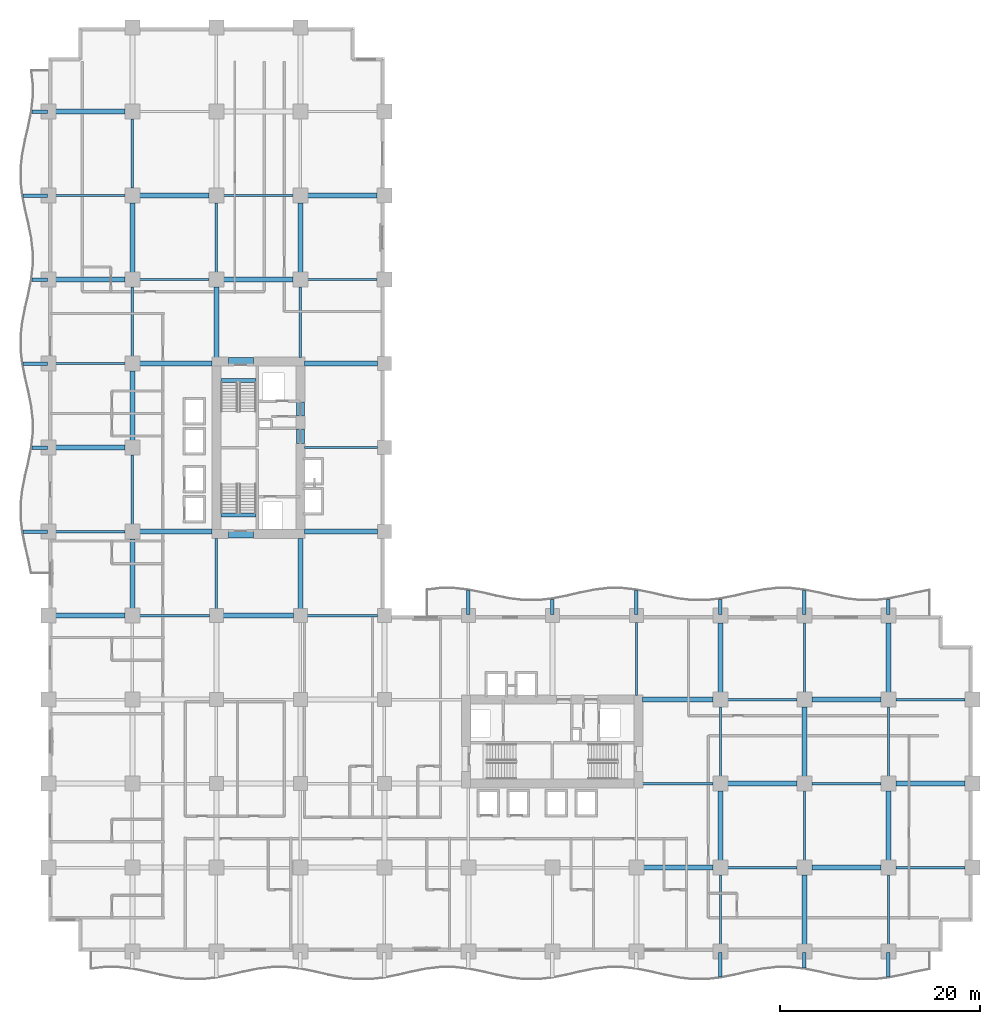
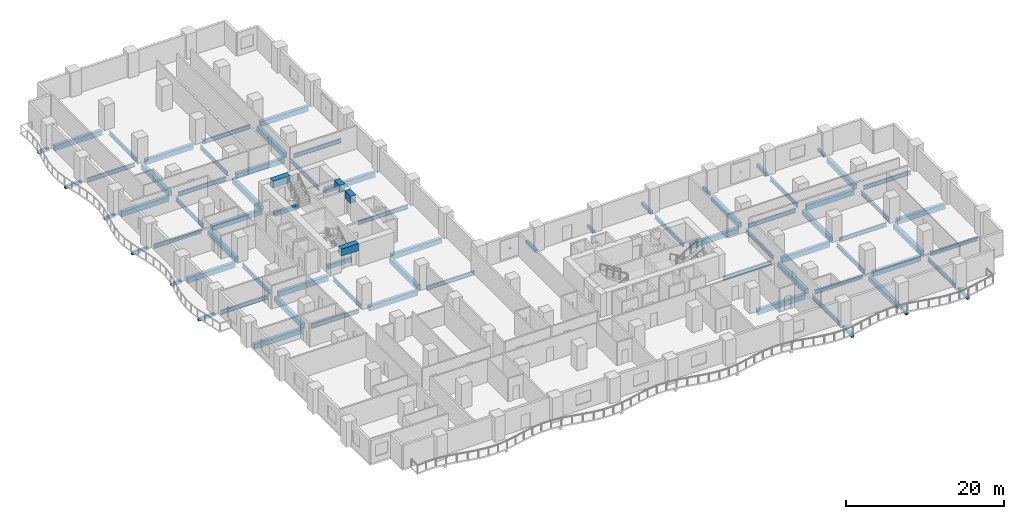
# One storey, part 2 of 20: 79 beams.
"""IFC4 building model written with IfcOpenShell, lengths in metres."""

from ifc_helpers import new_model, si_unit, direction, frame, origin, origin_2d, place, context, subcontext, project, spatial, rectangle, i_section, extrude, material, material_profile, profile_set, type_object, element, save


model = new_model("IFC4")

# Units and contexts
model_context = context("Model", 3, precision=1e-05, world=origin(), true_north=direction((0.0, 1.0)))
body_context = subcontext(model_context, "Body", "Model", "MODEL_VIEW")
ifc_project = project(units=[si_unit("LENGTHUNIT", "METRE"), si_unit("AREAUNIT", "SQUARE_METRE"), si_unit("VOLUMEUNIT", "CUBIC_METRE"), si_unit("PLANEANGLEUNIT", "RADIAN"), si_unit("MASSUNIT", "GRAM", prefix="KILO")], contexts=[model_context])

# Site, building, storey
site_placement = place(None, origin())
site = spatial("IfcSite", under=ifc_project, at=site_placement, CompositionType="ELEMENT")
building_placement = place(site_placement, origin())
building = spatial("IfcBuilding", under=site, at=building_placement, Name="Koriwani Terraces Tower", CompositionType="ELEMENT")
storey_placement = place(building_placement, frame((0.0, 0.0, 66.199951171875)))
storey = spatial("IfcBuildingStorey", under=building, at=storey_placement, Name="L15", CompositionType="ELEMENT", Elevation=66.199951171875)

# Beams
ifc_material_1 = material(Name="Concrete C40/50", Category="concrete")
ifc_material_profile_1 = material_profile(ifc_material_1, rectangle(XDim=0.35009765625, YDim=0.449951171875, at=origin_2d()), Name="Concrete C40/50", Category="LoadBearing")
ifc_profile_set_1 = profile_set([ifc_material_profile_1], Name="Concrete C40/50")
beam_type_1 = type_object("IfcBeamType", Name="BEAM_RC_BALCONY_RIB_350X450", PredefinedType="JOIST", material=ifc_profile_set_1)
beam_1_placement = place(storey_placement, frame((67.199951171875, -2.516845703125, -0.474853515625), z_axis=(0.0, 1.0, 0.0), x_axis=(-1.0, 0.0, 0.0)))
element("IfcBeam", 1, at=beam_1_placement, inside=storey, type_object=beam_type_1, Name="L15 Balcony Bracket Rib S-8", PredefinedType="JOIST", context=body_context, shape_type="SweptSolid", body=[
    extrude(rectangle(XDim=0.35009765625, YDim=0.449951171875, at=origin_2d()), origin(), (0.0, 0.0, 1.0), 2.416748046875),
])
beam_2_placement = place(storey_placement, frame((75.60009765625, -1.633056640625, -0.474853515625), z_axis=(0.0, 1.0, 0.0), x_axis=(-1.0, 0.0, 0.0)))
element("IfcBeam", 2, at=beam_2_placement, inside=storey, type_object=beam_type_1, Name="L15 Balcony Bracket Rib S-9", PredefinedType="JOIST", context=body_context, shape_type="SweptSolid", body=[
    extrude(rectangle(XDim=0.35009765625, YDim=0.449951171875, at=origin_2d()), origin(), (0.0, 0.0, 1.0), 1.532958984375),
])
for number, where, z_axis, x_axis, name in (
    (3, (84.0, -2.516845703125, -0.474853515625), (0.0, 1.0, 0.0), (-1.0, 0.0, 0.0), "L15 Balcony Bracket Rib S-10"),
    (4, (-2.516845703125, 42.0, -0.474853515625), (1.0, 0.0, 0.0), (0.0, 1.0, 0.0), "L15 Balcony Bracket Rib W-1"),
):
    element("IfcBeam", number, at=place(storey_placement, frame(where, z_axis=z_axis, x_axis=x_axis)), inside=storey, type_object=beam_type_1, Name=name, PredefinedType="JOIST", context=body_context, shape_type="SweptSolid", body=[
        extrude(rectangle(XDim=0.35009765625, YDim=0.449951171875, at=origin_2d()), origin(), (0.0, 0.0, 1.0), 2.416748046875),
    ])
beam_3_placement = place(storey_placement, frame((-1.633056640625, 50.39990234375, -0.474853515625), z_axis=(1.0, 0.0, 0.0), x_axis=(0.0, 1.0, 0.0)))
element("IfcBeam", 5, at=beam_3_placement, inside=storey, type_object=beam_type_1, Name="L15 Balcony Bracket Rib W-2", PredefinedType="JOIST", context=body_context, shape_type="SweptSolid", body=[
    extrude(rectangle(XDim=0.35009765625, YDim=0.449951171875, at=origin_2d()), origin(), (0.0, 0.0, 1.0), 1.532958984375),
])
beam_4_placement = place(storey_placement, frame((-2.516845703125, 58.800048828125, -0.474853515625), z_axis=(1.0, 0.0, 0.0), x_axis=(0.0, 1.0, 0.0)))
element("IfcBeam", 6, at=beam_4_placement, inside=storey, type_object=beam_type_1, Name="L15 Balcony Bracket Rib W-3", PredefinedType="JOIST", context=body_context, shape_type="SweptSolid", body=[
    extrude(rectangle(XDim=0.35009765625, YDim=0.449951171875, at=origin_2d()), origin(), (0.0, 0.0, 1.0), 2.416748046875),
])
beam_5_placement = place(storey_placement, frame((-1.633056640625, 67.199951171875, -0.474853515625), z_axis=(1.0, 0.0, 0.0), x_axis=(0.0, 1.0, 0.0)))
element("IfcBeam", 7, at=beam_5_placement, inside=storey, type_object=beam_type_1, Name="L15 Balcony Bracket Rib W-4", PredefinedType="JOIST", context=body_context, shape_type="SweptSolid", body=[
    extrude(rectangle(XDim=0.35009765625, YDim=0.449951171875, at=origin_2d()), origin(), (0.0, 0.0, 1.0), 1.532958984375),
])
beam_6_placement = place(storey_placement, frame((-2.516845703125, 75.60009765625, -0.474853515625), z_axis=(1.0, 0.0, 0.0), x_axis=(0.0, 1.0, 0.0)))
element("IfcBeam", 8, at=beam_6_placement, inside=storey, type_object=beam_type_1, Name="L15 Balcony Bracket Rib W-5", PredefinedType="JOIST", context=body_context, shape_type="SweptSolid", body=[
    extrude(rectangle(XDim=0.35009765625, YDim=0.449951171875, at=origin_2d()), origin(), (0.0, 0.0, 1.0), 2.416748046875),
])
beam_7_placement = place(storey_placement, frame((-1.633056640625, 84.0, -0.474853515625), z_axis=(1.0, 0.0, 0.0), x_axis=(0.0, 1.0, 0.0)))
element("IfcBeam", 9, at=beam_7_placement, inside=storey, type_object=beam_type_1, Name="L15 Balcony Bracket Rib W-6", PredefinedType="JOIST", context=body_context, shape_type="SweptSolid", body=[
    extrude(rectangle(XDim=0.35009765625, YDim=0.449951171875, at=origin_2d()), origin(), (0.0, 0.0, 1.0), 1.532958984375),
])
beam_8_placement = place(storey_placement, frame((42.0, 33.699951171875, -0.474853515625), z_axis=(0.0, 1.0, 0.0), x_axis=(-1.0, 0.0, 0.0)))
element("IfcBeam", 10, at=beam_8_placement, inside=storey, type_object=beam_type_1, Name="L15 Balcony Bracket Rib NE-1", PredefinedType="JOIST", context=body_context, shape_type="SweptSolid", body=[
    extrude(rectangle(XDim=0.35009765625, YDim=0.449951171875, at=origin_2d()), origin(), (0.0, 0.0, 1.0), 2.4169921875),
])
beam_9_placement = place(storey_placement, frame((50.39990234375, 33.699951171875, -0.474853515625), z_axis=(0.0, 1.0, 0.0), x_axis=(-1.0, 0.0, 0.0)))
element("IfcBeam", 11, at=beam_9_placement, inside=storey, type_object=beam_type_1, Name="L15 Balcony Bracket Rib NE-2", PredefinedType="JOIST", context=body_context, shape_type="SweptSolid", body=[
    extrude(rectangle(XDim=0.35009765625, YDim=0.449951171875, at=origin_2d()), origin(), (0.0, 0.0, 1.0), 1.533203125),
])
beam_10_placement = place(storey_placement, frame((58.800048828125, 33.699951171875, -0.474853515625), z_axis=(0.0, 1.0, 0.0), x_axis=(-1.0, 0.0, 0.0)))
element("IfcBeam", 12, at=beam_10_placement, inside=storey, type_object=beam_type_1, Name="L15 Balcony Bracket Rib NE-3", PredefinedType="JOIST", context=body_context, shape_type="SweptSolid", body=[
    extrude(rectangle(XDim=0.35009765625, YDim=0.449951171875, at=origin_2d()), origin(), (0.0, 0.0, 1.0), 2.4169921875),
])
beam_11_placement = place(storey_placement, frame((67.199951171875, 33.699951171875, -0.474853515625), z_axis=(0.0, 1.0, 0.0), x_axis=(-1.0, 0.0, 0.0)))
element("IfcBeam", 13, at=beam_11_placement, inside=storey, type_object=beam_type_1, Name="L15 Balcony Bracket Rib NE-4", PredefinedType="JOIST", context=body_context, shape_type="SweptSolid", body=[
    extrude(rectangle(XDim=0.35009765625, YDim=0.449951171875, at=origin_2d()), origin(), (0.0, 0.0, 1.0), 1.533203125),
])
beam_12_placement = place(storey_placement, frame((75.60009765625, 33.699951171875, -0.474853515625), z_axis=(0.0, 1.0, 0.0), x_axis=(-1.0, 0.0, 0.0)))
element("IfcBeam", 14, at=beam_12_placement, inside=storey, type_object=beam_type_1, Name="L15 Balcony Bracket Rib NE-5", PredefinedType="JOIST", context=body_context, shape_type="SweptSolid", body=[
    extrude(rectangle(XDim=0.35009765625, YDim=0.449951171875, at=origin_2d()), origin(), (0.0, 0.0, 1.0), 2.4169921875),
])
beam_13_placement = place(storey_placement, frame((84.0, 33.699951171875, -0.474853515625), z_axis=(0.0, 1.0, 0.0), x_axis=(-1.0, 0.0, 0.0)))
element("IfcBeam", 15, at=beam_13_placement, inside=storey, type_object=beam_type_1, Name="L15 Balcony Bracket Rib NE-6", PredefinedType="JOIST", context=body_context, shape_type="SweptSolid", body=[
    extrude(rectangle(XDim=0.35009765625, YDim=0.449951171875, at=origin_2d()), origin(), (0.0, 0.0, 1.0), 1.533203125),
])
ifc_material_2 = material(Name="Concrete C60/75", Category="concrete")
ifc_material_profile_2 = material_profile(ifc_material_2, rectangle(XDim=0.800048828125, YDim=1.10009765625, at=origin_2d()), Name="Concrete C60/75", Category="LoadBearing")
ifc_profile_set_2 = profile_set([ifc_material_profile_2], Name="Concrete C60/75")
beam_type_2 = type_object("IfcBeamType", Name="BEAM_RC_COUPLING_800X1100", PredefinedType="LINTEL", material=ifc_profile_set_2)
beam_14_placement = place(storey_placement, frame((25.199951171875, 50.800048828125, 3.0), z_axis=(0.0, 1.0, 0.0), x_axis=(-1.0, 0.0, 0.0)))
element("IfcBeam", 16, at=beam_14_placement, inside=storey, type_object=beam_type_2, Name="L15 Core Coupling Lintel Beam WE1", PredefinedType="LINTEL", context=body_context, shape_type="SweptSolid", body=[
    extrude(rectangle(XDim=0.800048828125, YDim=1.10009765625, at=origin_2d()), origin(), (0.0, 0.0, 1.0), 1.47998046875),
])
beam_15_placement = place(storey_placement, frame((25.199951171875, 53.550048828125, 3.0), z_axis=(0.0, 1.0, 0.0), x_axis=(-1.0, 0.0, 0.0)))
element("IfcBeam", 17, at=beam_15_placement, inside=storey, type_object=beam_type_2, Name="L15 Core Coupling Lintel Beam WE2", PredefinedType="LINTEL", context=body_context, shape_type="SweptSolid", body=[
    extrude(rectangle(XDim=0.800048828125, YDim=1.10009765625, at=origin_2d()), origin(), (0.0, 0.0, 1.0), 1.39990234375),
])
for number, where, z_axis, x_axis, name in (
    (18, (18.0, 41.75, 3.0), (1.0, 0.0, 0.0), (0.0, 1.0, 0.0), "L15 Core Coupling Lintel Beam WS"),
    (19, (18.0, 59.0, 3.0), (1.0, 0.0, 0.0), (0.0, 1.0, 0.0), "L15 Core Coupling Lintel Beam WN"),
):
    element("IfcBeam", number, at=place(storey_placement, frame(where, z_axis=z_axis, x_axis=x_axis)), inside=storey, type_object=beam_type_2, Name=name, PredefinedType="LINTEL", context=body_context, shape_type="SweptSolid", body=[
        extrude(rectangle(XDim=0.800048828125, YDim=1.10009765625, at=origin_2d()), origin(), (0.0, 0.0, 1.0), 2.5),
    ])
ifc_material_profile_3 = material_profile(ifc_material_1, rectangle(XDim=0.39990234375, YDim=0.60009765625, at=origin_2d()), Name="Concrete C40/50", Category="LoadBearing")
ifc_profile_set_3 = profile_set([ifc_material_profile_3], Name="Concrete C40/50")
beam_type_3 = type_object("IfcBeamType", Name="BEAM_RC_GRID_400X600", PredefinedType="BEAM", material=ifc_profile_set_3)
for number, where, z_axis, x_axis, name in (
    (20, (17.25, 43.655029296875, -0.300048828125), (1.0, 0.0, 0.0), (0.0, 1.0, 0.0), "L15 Stairwell Header Trimmer Beam ST-W1"),
    (21, (17.25, 57.094970703125, -0.300048828125), (1.0, 0.0, 0.0), (0.0, 1.0, 0.0), "L15 Stairwell Header Trimmer Beam ST-W2"),
):
    element("IfcBeam", number, at=place(storey_placement, frame(where, z_axis=z_axis, x_axis=x_axis)), inside=storey, type_object=beam_type_3, Name=name, PredefinedType="BEAM", context=body_context, shape_type="SweptSolid", body=[
        extrude(rectangle(XDim=0.39990234375, YDim=0.60009765625, at=origin_2d()), origin(), (0.0, 0.0, 1.0), 3.5),
    ])
ifc_material_3 = material(Name="Concrete C50/60", Category="concrete")
ifc_material_profile_4 = material_profile(ifc_material_3, rectangle(XDim=0.5, YDim=0.75, at=origin_2d()), Name="Concrete C50/60", Category="LoadBearing")
ifc_profile_set_4 = profile_set([ifc_material_profile_4], Name="Concrete C50/60")
beam_type_4 = type_object("IfcBeamType", Name="BEAM_RC_GRID_500X750", PredefinedType="BEAM", material=ifc_profile_set_4)
for number, where, z_axis, x_axis, name in (
    (22, (59.530029296875, 8.39990234375, -0.625), (1.0, 0.0, 0.0), (0.0, 1.0, 0.0), "L15 Grid Beam B (58.8-67.2m)"),
    (23, (76.330078125, 8.39990234375, -0.625), (1.0, 0.0, 0.0), (0.0, 1.0, 0.0), "L15 Grid Beam B (75.6-84.0m)"),
):
    element("IfcBeam", number, at=place(storey_placement, frame(where, z_axis=z_axis, x_axis=x_axis)), inside=storey, type_object=beam_type_4, Name=name, PredefinedType="BEAM", context=body_context, shape_type="SweptSolid", body=[
        extrude(rectangle(XDim=0.5, YDim=0.75, at=origin_2d()), origin(), (0.0, 0.0, 1.0), 6.93994140625),
    ])
beam_16_placement = place(storey_placement, frame((67.929931640625, 16.800048828125, -0.625), z_axis=(1.0, 0.0, 0.0), x_axis=(0.0, 1.0, 0.0)))
element("IfcBeam", 24, at=beam_16_placement, inside=storey, type_object=beam_type_4, Name="L15 Grid Beam C (67.2-75.6m)", PredefinedType="BEAM", context=body_context, shape_type="SweptSolid", body=[
    extrude(rectangle(XDim=0.5, YDim=0.75, at=origin_2d()), origin(), (0.0, 0.0, 1.0), 6.940185546875),
])
beam_17_placement = place(storey_placement, frame((84.72998046875, 16.800048828125, -0.625), z_axis=(1.0, 0.0, 0.0), x_axis=(0.0, 1.0, 0.0)))
element("IfcBeam", 25, at=beam_17_placement, inside=storey, type_object=beam_type_4, Name="L15 Grid Beam C (84.0-92.4m)", PredefinedType="BEAM", context=body_context, shape_type="SweptSolid", body=[
    extrude(rectangle(XDim=0.5, YDim=0.75, at=origin_2d()), origin(), (0.0, 0.0, 1.0), 6.93994140625),
])
beam_18_placement = place(storey_placement, frame((59.429931640625, 25.199951171875, -0.625), z_axis=(1.0, 0.0, 0.0), x_axis=(0.0, 1.0, 0.0)))
element("IfcBeam", 26, at=beam_18_placement, inside=storey, type_object=beam_type_4, Name="L15 Grid Beam D (58.8-67.2m)", PredefinedType="BEAM", context=body_context, shape_type="SweptSolid", body=[
    extrude(rectangle(XDim=0.5, YDim=0.75, at=origin_2d()), origin(), (0.0, 0.0, 1.0), 7.0400390625),
])
for number, where, z_axis, x_axis, name in (
    (27, (76.330078125, 25.199951171875, -0.625), (1.0, 0.0, 0.0), (0.0, 1.0, 0.0), "L15 Grid Beam D (75.6-84.0m)"),
    (28, (0.72998046875, 33.60009765625, -0.625), (1.0, 0.0, 0.0), (0.0, 1.0, 0.0), "L15 Grid Beam E (0.0-8.4m)"),
):
    element("IfcBeam", number, at=place(storey_placement, frame(where, z_axis=z_axis, x_axis=x_axis)), inside=storey, type_object=beam_type_4, Name=name, PredefinedType="BEAM", context=body_context, shape_type="SweptSolid", body=[
        extrude(rectangle(XDim=0.5, YDim=0.75, at=origin_2d()), origin(), (0.0, 0.0, 1.0), 6.93994140625),
    ])
beam_19_placement = place(storey_placement, frame((17.47998046875, 33.60009765625, -0.625), z_axis=(1.0, 0.0, 0.0), x_axis=(0.0, 1.0, 0.0)))
element("IfcBeam", 29, at=beam_19_placement, inside=storey, type_object=beam_type_4, Name="L15 Grid Beam E (16.8-25.2m)", PredefinedType="BEAM", context=body_context, shape_type="SweptSolid", body=[
    extrude(rectangle(XDim=0.5, YDim=0.75, at=origin_2d()), origin(), (0.0, 0.0, 1.0), 7.0400390625),
])
beam_20_placement = place(storey_placement, frame((9.1298828125, 42.0, -0.625), z_axis=(1.0, 0.0, 0.0), x_axis=(0.0, 1.0, 0.0)))
element("IfcBeam", 30, at=beam_20_placement, inside=storey, type_object=beam_type_4, Name="L15 Grid Beam F (8.4-16.8m)", PredefinedType="BEAM", context=body_context, shape_type="SweptSolid", body=[
    extrude(rectangle(XDim=0.5, YDim=0.75, at=origin_2d()), origin(), (0.0, 0.0, 1.0), 7.240234375),
])
beam_21_placement = place(storey_placement, frame((25.6298828125, 42.0, -0.625), z_axis=(1.0, 0.0, 0.0), x_axis=(0.0, 1.0, 0.0)))
element("IfcBeam", 31, at=beam_21_placement, inside=storey, type_object=beam_type_4, Name="L15 Grid Beam F (25.2-33.6m)", PredefinedType="BEAM", context=body_context, shape_type="SweptSolid", body=[
    extrude(rectangle(XDim=0.5, YDim=0.75, at=origin_2d()), origin(), (0.0, 0.0, 1.0), 7.2900390625),
])
beam_22_placement = place(storey_placement, frame((0.72998046875, 50.39990234375, -0.625), z_axis=(1.0, 0.0, 0.0), x_axis=(0.0, 1.0, 0.0)))
element("IfcBeam", 32, at=beam_22_placement, inside=storey, type_object=beam_type_4, Name="L15 Grid Beam G (0.0-8.4m)", PredefinedType="BEAM", context=body_context, shape_type="SweptSolid", body=[
    extrude(rectangle(XDim=0.5, YDim=0.75, at=origin_2d()), origin(), (0.0, 0.0, 1.0), 6.93994140625),
])
beam_23_placement = place(storey_placement, frame((9.1298828125, 58.800048828125, -0.625), z_axis=(1.0, 0.0, 0.0), x_axis=(0.0, 1.0, 0.0)))
element("IfcBeam", 33, at=beam_23_placement, inside=storey, type_object=beam_type_4, Name="L15 Grid Beam H (8.4-16.8m)", PredefinedType="BEAM", context=body_context, shape_type="SweptSolid", body=[
    extrude(rectangle(XDim=0.5, YDim=0.75, at=origin_2d()), origin(), (0.0, 0.0, 1.0), 7.240234375),
])
beam_24_placement = place(storey_placement, frame((25.6298828125, 58.800048828125, -0.625), z_axis=(1.0, 0.0, 0.0), x_axis=(0.0, 1.0, 0.0)))
element("IfcBeam", 34, at=beam_24_placement, inside=storey, type_object=beam_type_4, Name="L15 Grid Beam H (25.2-33.6m)", PredefinedType="BEAM", context=body_context, shape_type="SweptSolid", body=[
    extrude(rectangle(XDim=0.5, YDim=0.75, at=origin_2d()), origin(), (0.0, 0.0, 1.0), 7.2900390625),
])
for number, where, z_axis, x_axis, name in (
    (35, (0.72998046875, 67.199951171875, -0.625), (1.0, 0.0, 0.0), (0.0, 1.0, 0.0), "L15 Grid Beam I (0.0-8.4m)"),
    (36, (17.530029296875, 67.199951171875, -0.625), (1.0, 0.0, 0.0), (0.0, 1.0, 0.0), "L15 Grid Beam I (16.8-25.2m)"),
):
    element("IfcBeam", number, at=place(storey_placement, frame(where, z_axis=z_axis, x_axis=x_axis)), inside=storey, type_object=beam_type_4, Name=name, PredefinedType="BEAM", context=body_context, shape_type="SweptSolid", body=[
        extrude(rectangle(XDim=0.5, YDim=0.75, at=origin_2d()), origin(), (0.0, 0.0, 1.0), 6.93994140625),
    ])
for number, where, z_axis, x_axis, name in (
    (37, (9.1298828125, 75.60009765625, -0.625), (1.0, 0.0, 0.0), (0.0, 1.0, 0.0), "L15 Grid Beam J (8.4-16.8m)"),
    (38, (25.929931640625, 75.60009765625, -0.625), (1.0, 0.0, 0.0), (0.0, 1.0, 0.0), "L15 Grid Beam J (25.2-33.6m)"),
):
    element("IfcBeam", number, at=place(storey_placement, frame(where, z_axis=z_axis, x_axis=x_axis)), inside=storey, type_object=beam_type_4, Name=name, PredefinedType="BEAM", context=body_context, shape_type="SweptSolid", body=[
        extrude(rectangle(XDim=0.5, YDim=0.75, at=origin_2d()), origin(), (0.0, 0.0, 1.0), 6.940185546875),
    ])
for number, where, z_axis, x_axis, name in (
    (39, (0.72998046875, 84.0, -0.625), (1.0, 0.0, 0.0), (0.0, 1.0, 0.0), "L15 Grid Beam K (0.0-8.4m)"),
    (40, (8.39990234375, 34.330078125, -0.625), (0.0, 1.0, 0.0), (-1.0, 0.0, 0.0), "L15 Grid Beam 2 (33.6-42.0m)"),
):
    element("IfcBeam", number, at=place(storey_placement, frame(where, z_axis=z_axis, x_axis=x_axis)), inside=storey, type_object=beam_type_4, Name=name, PredefinedType="BEAM", context=body_context, shape_type="SweptSolid", body=[
        extrude(rectangle(XDim=0.5, YDim=0.75, at=origin_2d()), origin(), (0.0, 0.0, 1.0), 6.93994140625),
    ])
for number, where, z_axis, x_axis, name in (
    (41, (8.39990234375, 51.1298828125, -0.625), (0.0, 1.0, 0.0), (-1.0, 0.0, 0.0), "L15 Grid Beam 2 (50.4-58.8m)"),
    (42, (8.39990234375, 67.929931640625, -0.625), (0.0, 1.0, 0.0), (-1.0, 0.0, 0.0), "L15 Grid Beam 2 (67.2-75.6m)"),
):
    element("IfcBeam", number, at=place(storey_placement, frame(where, z_axis=z_axis, x_axis=x_axis)), inside=storey, type_object=beam_type_4, Name=name, PredefinedType="BEAM", context=body_context, shape_type="SweptSolid", body=[
        extrude(rectangle(XDim=0.5, YDim=0.75, at=origin_2d()), origin(), (0.0, 0.0, 1.0), 6.940185546875),
    ])
for number, where, z_axis, x_axis, name in (
    (43, (16.800048828125, 59.429931640625, -0.625), (0.0, 1.0, 0.0), (-1.0, 0.0, 0.0), "L15 Grid Beam 3 (58.8-67.2m)"),
    (44, (25.199951171875, 34.280029296875, -0.625), (0.0, 1.0, 0.0), (-1.0, 0.0, 0.0), "L15 Grid Beam 4 (33.6-42.0m)"),
):
    element("IfcBeam", number, at=place(storey_placement, frame(where, z_axis=z_axis, x_axis=x_axis)), inside=storey, type_object=beam_type_4, Name=name, PredefinedType="BEAM", context=body_context, shape_type="SweptSolid", body=[
        extrude(rectangle(XDim=0.5, YDim=0.75, at=origin_2d()), origin(), (0.0, 0.0, 1.0), 7.0400390625),
    ])
for number, where, z_axis, x_axis, name in (
    (45, (25.199951171875, 67.929931640625, -0.625), (0.0, 1.0, 0.0), (-1.0, 0.0, 0.0), "L15 Grid Beam 4 (67.2-75.6m)"),
    (46, (67.199951171875, 9.1298828125, -0.625), (0.0, 1.0, 0.0), (-1.0, 0.0, 0.0), "L15 Grid Beam 9 (8.4-16.8m)"),
    (47, (67.199951171875, 25.929931640625, -0.625), (0.0, 1.0, 0.0), (-1.0, 0.0, 0.0), "L15 Grid Beam 9 (25.2-33.6m)"),
):
    element("IfcBeam", number, at=place(storey_placement, frame(where, z_axis=z_axis, x_axis=x_axis)), inside=storey, type_object=beam_type_4, Name=name, PredefinedType="BEAM", context=body_context, shape_type="SweptSolid", body=[
        extrude(rectangle(XDim=0.5, YDim=0.75, at=origin_2d()), origin(), (0.0, 0.0, 1.0), 6.940185546875),
    ])
for number, where, z_axis, x_axis, name in (
    (48, (75.60009765625, 0.72998046875, -0.625), (0.0, 1.0, 0.0), (-1.0, 0.0, 0.0), "L15 Grid Beam 10 (0.0-8.4m)"),
    (49, (75.60009765625, 17.530029296875, -0.625), (0.0, 1.0, 0.0), (-1.0, 0.0, 0.0), "L15 Grid Beam 10 (16.8-25.2m)"),
):
    element("IfcBeam", number, at=place(storey_placement, frame(where, z_axis=z_axis, x_axis=x_axis)), inside=storey, type_object=beam_type_4, Name=name, PredefinedType="BEAM", context=body_context, shape_type="SweptSolid", body=[
        extrude(rectangle(XDim=0.5, YDim=0.75, at=origin_2d()), origin(), (0.0, 0.0, 1.0), 6.93994140625),
    ])
for number, where, z_axis, x_axis, name in (
    (50, (84.0, 9.1298828125, -0.625), (0.0, 1.0, 0.0), (-1.0, 0.0, 0.0), "L15 Grid Beam 11 (8.4-16.8m)"),
    (51, (84.0, 25.929931640625, -0.625), (0.0, 1.0, 0.0), (-1.0, 0.0, 0.0), "L15 Grid Beam 11 (25.2-33.6m)"),
):
    element("IfcBeam", number, at=place(storey_placement, frame(where, z_axis=z_axis, x_axis=x_axis)), inside=storey, type_object=beam_type_4, Name=name, PredefinedType="BEAM", context=body_context, shape_type="SweptSolid", body=[
        extrude(rectangle(XDim=0.5, YDim=0.75, at=origin_2d()), origin(), (0.0, 0.0, 1.0), 6.940185546875),
    ])
ifc_material_4 = material(Name="Steel ASTM A572 Grade 50", Category="steel")
ifc_material_profile_5 = material_profile(ifc_material_4, i_section(OverallWidth=0.22900390625, OverallDepth=0.611083984375, WebThickness=0.0126953125, FlangeThickness=0.022216796875, at=origin_2d()), Name="Steel ASTM A572 Grade 50", Category="LoadBearing")
ifc_profile_set_5 = profile_set([ifc_material_profile_5], Name="Steel ASTM A572 Grade 50")
beam_type_5 = type_object("IfcBeamType", Name="STEEL_BEAM_W610X155", PredefinedType="BEAM", material=ifc_profile_set_5)
beam_25_placement = place(storey_placement, frame((67.929931640625, 8.39990234375, -0.555419921875), z_axis=(1.0, 0.0, 0.0), x_axis=(0.0, 1.0, 0.0)))
element("IfcBeam", 52, at=beam_25_placement, inside=storey, type_object=beam_type_5, Name="L15 Grid Beam B (67.2-75.6m)", PredefinedType="BEAM", context=body_context, shape_type="SweptSolid", body=[
    extrude(i_section(OverallWidth=0.22900390625, OverallDepth=0.611083984375, WebThickness=0.0126953125, FlangeThickness=0.022216796875, at=origin_2d()), origin(), (0.0, 0.0, 1.0), 6.940185546875),
])
beam_26_placement = place(storey_placement, frame((84.72998046875, 8.39990234375, -0.555419921875), z_axis=(1.0, 0.0, 0.0), x_axis=(0.0, 1.0, 0.0)))
element("IfcBeam", 53, at=beam_26_placement, inside=storey, type_object=beam_type_5, Name="L15 Grid Beam B (84.0-92.4m)", PredefinedType="BEAM", context=body_context, shape_type="SweptSolid", body=[
    extrude(i_section(OverallWidth=0.22900390625, OverallDepth=0.611083984375, WebThickness=0.0126953125, FlangeThickness=0.022216796875, at=origin_2d()), origin(), (0.0, 0.0, 1.0), 6.93994140625),
])
beam_27_placement = place(storey_placement, frame((59.429931640625, 16.800048828125, -0.555419921875), z_axis=(1.0, 0.0, 0.0), x_axis=(0.0, 1.0, 0.0)))
element("IfcBeam", 54, at=beam_27_placement, inside=storey, type_object=beam_type_5, Name="L15 Grid Beam C (58.8-67.2m)", PredefinedType="BEAM", context=body_context, shape_type="SweptSolid", body=[
    extrude(i_section(OverallWidth=0.22900390625, OverallDepth=0.611083984375, WebThickness=0.0126953125, FlangeThickness=0.022216796875, at=origin_2d()), origin(), (0.0, 0.0, 1.0), 7.0400390625),
])
beam_28_placement = place(storey_placement, frame((76.330078125, 16.800048828125, -0.555419921875), z_axis=(1.0, 0.0, 0.0), x_axis=(0.0, 1.0, 0.0)))
element("IfcBeam", 55, at=beam_28_placement, inside=storey, type_object=beam_type_5, Name="L15 Grid Beam C (75.6-84.0m)", PredefinedType="BEAM", context=body_context, shape_type="SweptSolid", body=[
    extrude(i_section(OverallWidth=0.22900390625, OverallDepth=0.611083984375, WebThickness=0.0126953125, FlangeThickness=0.022216796875, at=origin_2d()), origin(), (0.0, 0.0, 1.0), 6.93994140625),
])
beam_29_placement = place(storey_placement, frame((67.929931640625, 25.199951171875, -0.555419921875), z_axis=(1.0, 0.0, 0.0), x_axis=(0.0, 1.0, 0.0)))
element("IfcBeam", 56, at=beam_29_placement, inside=storey, type_object=beam_type_5, Name="L15 Grid Beam D (67.2-75.6m)", PredefinedType="BEAM", context=body_context, shape_type="SweptSolid", body=[
    extrude(i_section(OverallWidth=0.22900390625, OverallDepth=0.611083984375, WebThickness=0.0126953125, FlangeThickness=0.022216796875, at=origin_2d()), origin(), (0.0, 0.0, 1.0), 6.940185546875),
])
beam_30_placement = place(storey_placement, frame((84.72998046875, 25.199951171875, -0.555419921875), z_axis=(1.0, 0.0, 0.0), x_axis=(0.0, 1.0, 0.0)))
element("IfcBeam", 57, at=beam_30_placement, inside=storey, type_object=beam_type_5, Name="L15 Grid Beam D (84.0-92.4m)", PredefinedType="BEAM", context=body_context, shape_type="SweptSolid", body=[
    extrude(i_section(OverallWidth=0.22900390625, OverallDepth=0.611083984375, WebThickness=0.0126953125, FlangeThickness=0.022216796875, at=origin_2d()), origin(), (0.0, 0.0, 1.0), 6.93994140625),
])
beam_31_placement = place(storey_placement, frame((9.1298828125, 33.60009765625, -0.555419921875), z_axis=(1.0, 0.0, 0.0), x_axis=(0.0, 1.0, 0.0)))
element("IfcBeam", 58, at=beam_31_placement, inside=storey, type_object=beam_type_5, Name="L15 Grid Beam E (8.4-16.8m)", PredefinedType="BEAM", context=body_context, shape_type="SweptSolid", body=[
    extrude(i_section(OverallWidth=0.22900390625, OverallDepth=0.611083984375, WebThickness=0.0126953125, FlangeThickness=0.022216796875, at=origin_2d()), origin(), (0.0, 0.0, 1.0), 6.990234375),
])
beam_32_placement = place(storey_placement, frame((25.8798828125, 33.60009765625, -0.555419921875), z_axis=(1.0, 0.0, 0.0), x_axis=(0.0, 1.0, 0.0)))
element("IfcBeam", 59, at=beam_32_placement, inside=storey, type_object=beam_type_5, Name="L15 Grid Beam E (25.2-33.6m)", PredefinedType="BEAM", context=body_context, shape_type="SweptSolid", body=[
    extrude(i_section(OverallWidth=0.22900390625, OverallDepth=0.611083984375, WebThickness=0.0126953125, FlangeThickness=0.022216796875, at=origin_2d()), origin(), (0.0, 0.0, 1.0), 7.0400390625),
])
beam_33_placement = place(storey_placement, frame((0.72998046875, 42.0, -0.555419921875), z_axis=(1.0, 0.0, 0.0), x_axis=(0.0, 1.0, 0.0)))
element("IfcBeam", 60, at=beam_33_placement, inside=storey, type_object=beam_type_5, Name="L15 Grid Beam F (0.0-8.4m)", PredefinedType="BEAM", context=body_context, shape_type="SweptSolid", body=[
    extrude(i_section(OverallWidth=0.22900390625, OverallDepth=0.611083984375, WebThickness=0.0126953125, FlangeThickness=0.022216796875, at=origin_2d()), origin(), (0.0, 0.0, 1.0), 6.93994140625),
])
beam_34_placement = place(storey_placement, frame((25.6298828125, 50.39990234375, -0.555419921875), z_axis=(1.0, 0.0, 0.0), x_axis=(0.0, 1.0, 0.0)))
element("IfcBeam", 61, at=beam_34_placement, inside=storey, type_object=beam_type_5, Name="L15 Grid Beam G (25.2-33.6m)", PredefinedType="BEAM", context=body_context, shape_type="SweptSolid", body=[
    extrude(i_section(OverallWidth=0.22900390625, OverallDepth=0.611083984375, WebThickness=0.0126953125, FlangeThickness=0.022216796875, at=origin_2d()), origin(), (0.0, 0.0, 1.0), 7.2900390625),
])
beam_35_placement = place(storey_placement, frame((0.72998046875, 58.800048828125, -0.555419921875), z_axis=(1.0, 0.0, 0.0), x_axis=(0.0, 1.0, 0.0)))
element("IfcBeam", 62, at=beam_35_placement, inside=storey, type_object=beam_type_5, Name="L15 Grid Beam H (0.0-8.4m)", PredefinedType="BEAM", context=body_context, shape_type="SweptSolid", body=[
    extrude(i_section(OverallWidth=0.22900390625, OverallDepth=0.611083984375, WebThickness=0.0126953125, FlangeThickness=0.022216796875, at=origin_2d()), origin(), (0.0, 0.0, 1.0), 6.93994140625),
])
for number, where, z_axis, x_axis, name in (
    (63, (9.1298828125, 67.199951171875, -0.555419921875), (1.0, 0.0, 0.0), (0.0, 1.0, 0.0), "L15 Grid Beam I (8.4-16.8m)"),
    (64, (25.929931640625, 67.199951171875, -0.555419921875), (1.0, 0.0, 0.0), (0.0, 1.0, 0.0), "L15 Grid Beam I (25.2-33.6m)"),
):
    element("IfcBeam", number, at=place(storey_placement, frame(where, z_axis=z_axis, x_axis=x_axis)), inside=storey, type_object=beam_type_5, Name=name, PredefinedType="BEAM", context=body_context, shape_type="SweptSolid", body=[
        extrude(i_section(OverallWidth=0.22900390625, OverallDepth=0.611083984375, WebThickness=0.0126953125, FlangeThickness=0.022216796875, at=origin_2d()), origin(), (0.0, 0.0, 1.0), 6.940185546875),
    ])
for number, where, z_axis, x_axis, name in (
    (65, (0.72998046875, 75.60009765625, -0.555419921875), (1.0, 0.0, 0.0), (0.0, 1.0, 0.0), "L15 Grid Beam J (0.0-8.4m)"),
    (66, (17.530029296875, 75.60009765625, -0.555419921875), (1.0, 0.0, 0.0), (0.0, 1.0, 0.0), "L15 Grid Beam J (16.8-25.2m)"),
    (67, (8.39990234375, 42.72998046875, -0.555419921875), (0.0, 1.0, 0.0), (-1.0, 0.0, 0.0), "L15 Grid Beam 2 (42.0-50.4m)"),
    (68, (8.39990234375, 59.530029296875, -0.555419921875), (0.0, 1.0, 0.0), (-1.0, 0.0, 0.0), "L15 Grid Beam 2 (58.8-67.2m)"),
    (69, (8.39990234375, 76.330078125, -0.555419921875), (0.0, 1.0, 0.0), (-1.0, 0.0, 0.0), "L15 Grid Beam 2 (75.6-84.0m)"),
):
    element("IfcBeam", number, at=place(storey_placement, frame(where, z_axis=z_axis, x_axis=x_axis)), inside=storey, type_object=beam_type_5, Name=name, PredefinedType="BEAM", context=body_context, shape_type="SweptSolid", body=[
        extrude(i_section(OverallWidth=0.22900390625, OverallDepth=0.611083984375, WebThickness=0.0126953125, FlangeThickness=0.022216796875, at=origin_2d()), origin(), (0.0, 0.0, 1.0), 6.93994140625),
    ])
beam_36_placement = place(storey_placement, frame((16.800048828125, 34.280029296875, -0.555419921875), z_axis=(0.0, 1.0, 0.0), x_axis=(-1.0, 0.0, 0.0)))
element("IfcBeam", 70, at=beam_36_placement, inside=storey, type_object=beam_type_5, Name="L15 Grid Beam 3 (33.6-42.0m)", PredefinedType="BEAM", context=body_context, shape_type="SweptSolid", body=[
    extrude(i_section(OverallWidth=0.22900390625, OverallDepth=0.611083984375, WebThickness=0.0126953125, FlangeThickness=0.022216796875, at=origin_2d()), origin(), (0.0, 0.0, 1.0), 7.0400390625),
])
beam_37_placement = place(storey_placement, frame((16.800048828125, 67.929931640625, -0.555419921875), z_axis=(0.0, 1.0, 0.0), x_axis=(-1.0, 0.0, 0.0)))
element("IfcBeam", 71, at=beam_37_placement, inside=storey, type_object=beam_type_5, Name="L15 Grid Beam 3 (67.2-75.6m)", PredefinedType="BEAM", context=body_context, shape_type="SweptSolid", body=[
    extrude(i_section(OverallWidth=0.22900390625, OverallDepth=0.611083984375, WebThickness=0.0126953125, FlangeThickness=0.022216796875, at=origin_2d()), origin(), (0.0, 0.0, 1.0), 6.940185546875),
])
beam_38_placement = place(storey_placement, frame((25.199951171875, 59.429931640625, -0.555419921875), z_axis=(0.0, 1.0, 0.0), x_axis=(-1.0, 0.0, 0.0)))
element("IfcBeam", 72, at=beam_38_placement, inside=storey, type_object=beam_type_5, Name="L15 Grid Beam 4 (58.8-67.2m)", PredefinedType="BEAM", context=body_context, shape_type="SweptSolid", body=[
    extrude(i_section(OverallWidth=0.22900390625, OverallDepth=0.611083984375, WebThickness=0.0126953125, FlangeThickness=0.022216796875, at=origin_2d()), origin(), (0.0, 0.0, 1.0), 7.0400390625),
])
beam_39_placement = place(storey_placement, frame((58.800048828125, 25.6298828125, -0.555419921875), z_axis=(0.0, 1.0, 0.0), x_axis=(-1.0, 0.0, 0.0)))
element("IfcBeam", 73, at=beam_39_placement, inside=storey, type_object=beam_type_5, Name="L15 Grid Beam 8 (25.2-33.6m)", PredefinedType="BEAM", context=body_context, shape_type="SweptSolid", body=[
    extrude(i_section(OverallWidth=0.22900390625, OverallDepth=0.611083984375, WebThickness=0.0126953125, FlangeThickness=0.022216796875, at=origin_2d()), origin(), (0.0, 0.0, 1.0), 7.2900390625),
])
for number, where, z_axis, x_axis, name in (
    (74, (67.199951171875, 0.72998046875, -0.555419921875), (0.0, 1.0, 0.0), (-1.0, 0.0, 0.0), "L15 Grid Beam 9 (0.0-8.4m)"),
    (75, (67.199951171875, 17.530029296875, -0.555419921875), (0.0, 1.0, 0.0), (-1.0, 0.0, 0.0), "L15 Grid Beam 9 (16.8-25.2m)"),
):
    element("IfcBeam", number, at=place(storey_placement, frame(where, z_axis=z_axis, x_axis=x_axis)), inside=storey, type_object=beam_type_5, Name=name, PredefinedType="BEAM", context=body_context, shape_type="SweptSolid", body=[
        extrude(i_section(OverallWidth=0.22900390625, OverallDepth=0.611083984375, WebThickness=0.0126953125, FlangeThickness=0.022216796875, at=origin_2d()), origin(), (0.0, 0.0, 1.0), 6.93994140625),
    ])
for number, where, z_axis, x_axis, name in (
    (76, (75.60009765625, 9.1298828125, -0.555419921875), (0.0, 1.0, 0.0), (-1.0, 0.0, 0.0), "L15 Grid Beam 10 (8.4-16.8m)"),
    (77, (75.60009765625, 25.929931640625, -0.555419921875), (0.0, 1.0, 0.0), (-1.0, 0.0, 0.0), "L15 Grid Beam 10 (25.2-33.6m)"),
):
    element("IfcBeam", number, at=place(storey_placement, frame(where, z_axis=z_axis, x_axis=x_axis)), inside=storey, type_object=beam_type_5, Name=name, PredefinedType="BEAM", context=body_context, shape_type="SweptSolid", body=[
        extrude(i_section(OverallWidth=0.22900390625, OverallDepth=0.611083984375, WebThickness=0.0126953125, FlangeThickness=0.022216796875, at=origin_2d()), origin(), (0.0, 0.0, 1.0), 6.940185546875),
    ])
for number, where, z_axis, x_axis, name in (
    (78, (84.0, 0.72998046875, -0.555419921875), (0.0, 1.0, 0.0), (-1.0, 0.0, 0.0), "L15 Grid Beam 11 (0.0-8.4m)"),
    (79, (84.0, 17.530029296875, -0.555419921875), (0.0, 1.0, 0.0), (-1.0, 0.0, 0.0), "L15 Grid Beam 11 (16.8-25.2m)"),
):
    element("IfcBeam", number, at=place(storey_placement, frame(where, z_axis=z_axis, x_axis=x_axis)), inside=storey, type_object=beam_type_5, Name=name, PredefinedType="BEAM", context=body_context, shape_type="SweptSolid", body=[
        extrude(i_section(OverallWidth=0.22900390625, OverallDepth=0.611083984375, WebThickness=0.0126953125, FlangeThickness=0.022216796875, at=origin_2d()), origin(), (0.0, 0.0, 1.0), 6.93994140625),
    ])

save(model, "model.ifc")
